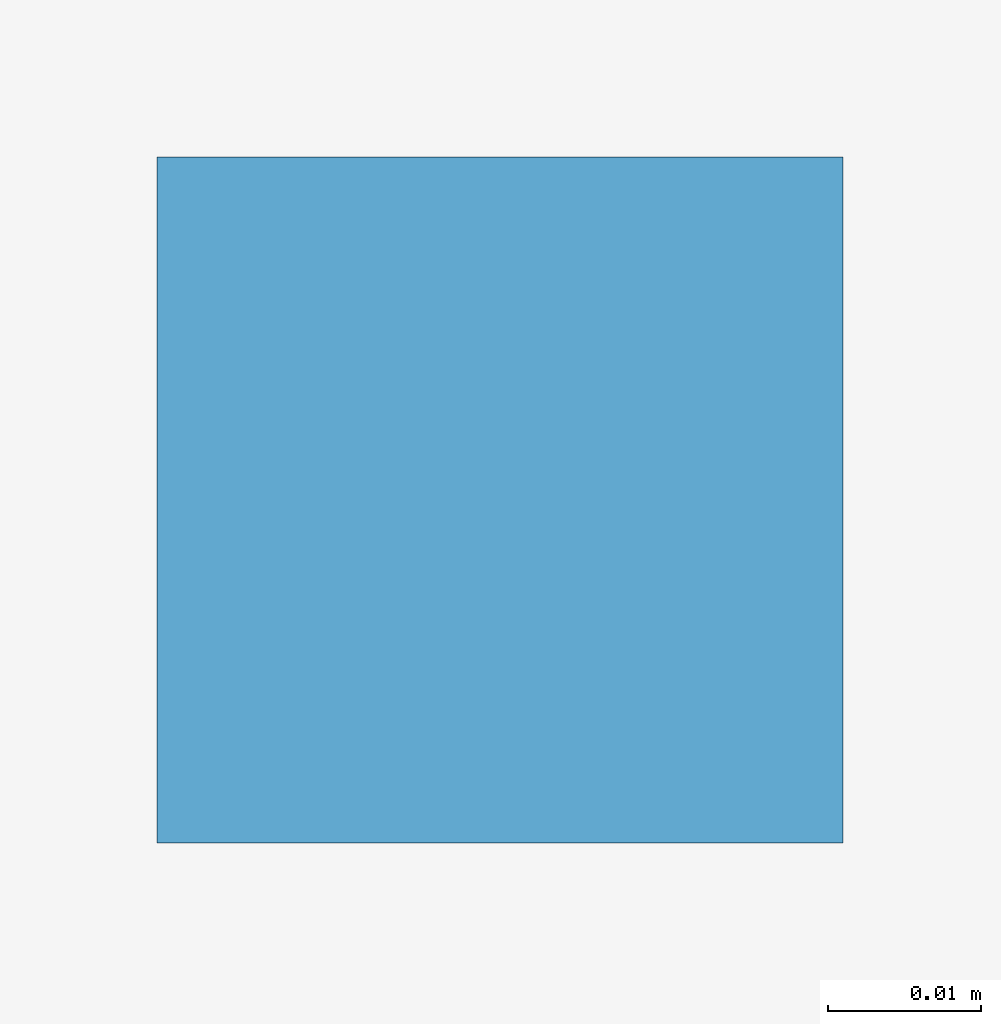
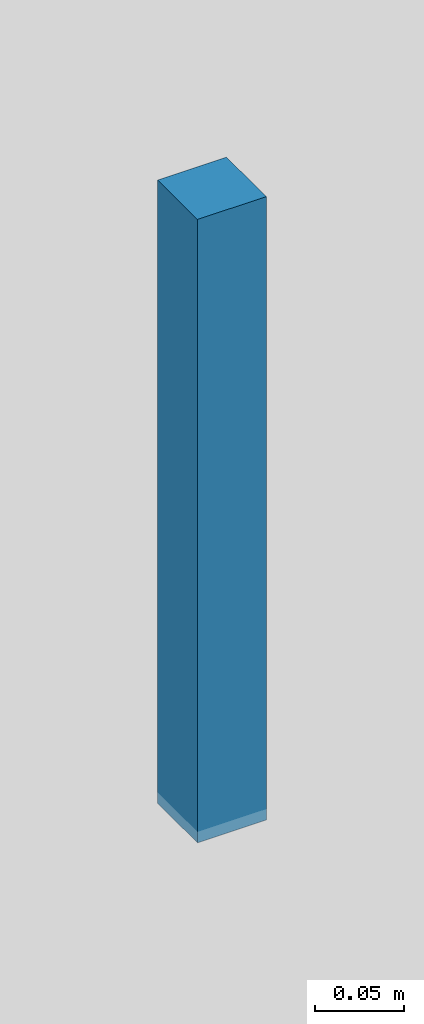
# One storey, part 62 of 85: 1 discrete accessory.
"""IFC4 building model written with IfcOpenShell, lengths in metres."""

from ifc_helpers import new_model, si_unit, derived_unit, direction, frame, origin, origin_2d, place, context, subcontext, project, spatial, rectangle, extrude, material, type_object, element, save


model = new_model("IFC4")

# Units and contexts
model_context = context("Model", 3, precision=1e-05, world=origin(), true_north=direction((0.0, 1.0)))
body_context = subcontext(model_context, "Body", "Model", "MODEL_VIEW")
ifc_project = project(units=[si_unit("LENGTHUNIT", "METRE"), si_unit("AREAUNIT", "SQUARE_METRE"), si_unit("VOLUMEUNIT", "CUBIC_METRE"), si_unit("PLANEANGLEUNIT", "RADIAN"), si_unit("MASSUNIT", "GRAM", prefix="KILO"), derived_unit("THERMALTRANSMITTANCEUNIT", [(si_unit("POWERUNIT", "WATT"), 1), (si_unit("LENGTHUNIT", "METRE"), -2), (si_unit("THERMODYNAMICTEMPERATUREUNIT", "KELVIN"), -1)])], contexts=[model_context])

# Site, building, storey
site_placement = place(None, origin())
site = spatial("IfcSite", under=ifc_project, at=site_placement, CompositionType="ELEMENT")
building_placement = place(site_placement, origin())
building = spatial("IfcBuilding", under=site, at=building_placement, Name="Braskholm Square Health Centre", CompositionType="ELEMENT")
storey_placement = place(building_placement, frame((0.0, 0.0, 9.300048828125)))
storey = spatial("IfcBuildingStorey", under=building, at=storey_placement, Name="L03", CompositionType="ELEMENT", Elevation=9.300048828125)

# Discrete accessory
ifc_material = material(Name="Steel ASTM A500 Grade C", Category="steel")
discrete_accessory_type = type_object("IfcDiscreteAccessoryType", Name="CeilingSuspensionBracket", PredefinedType="BRACKET", material=ifc_material)
discrete_accessory_placement = place(storey_placement, frame((16.81494140625, 99.14990234375, 3.48193359375), z_axis=(0.0, 0.0, 1.0), x_axis=(1.0, 0.0, 0.0)))
element("IfcDiscreteAccessory", 1, at=discrete_accessory_placement, inside=storey, type_object=discrete_accessory_type, Name="Ceiling hanger bracket 0058", PredefinedType="BRACKET", context=body_context, shape_type="SweptSolid", body=[
    extrude(rectangle(XDim=0.044921875, YDim=0.044921875, at=origin_2d()), origin(), (0.0, 0.0, 1.0), 0.429931640625),
])

save(model, "model.ifc")
